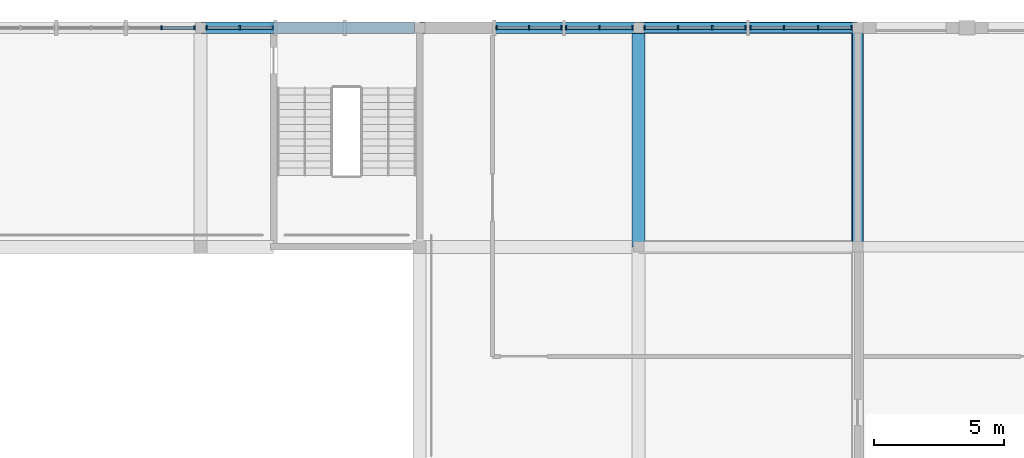
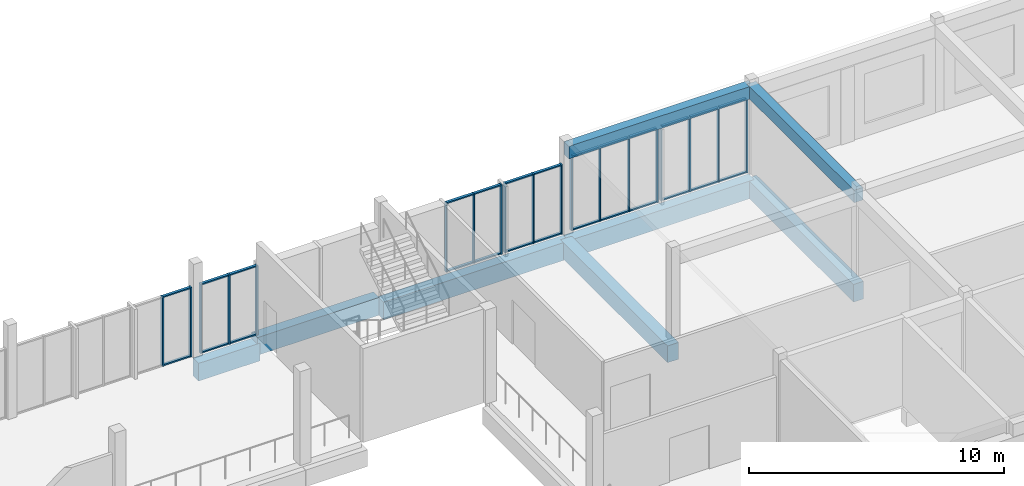
# One storey, part 12 of 38: 45 members, 8 beams, 6 elements without a shape of their own.
"""IFC4 building model written with IfcOpenShell, lengths in metres."""

from ifc_helpers import new_model, si_unit, direction, frame, origin, origin_2d, place, context, subcontext, project, spatial, rectangle, extrude, material, material_profile, profile_set, type_object, element, aggregate, save


model = new_model("IFC4")

# Units and contexts
model_context = context("Model", 3, precision=1e-05, world=origin(), true_north=direction((0.0, 1.0)))
body_context = subcontext(model_context, "Body", "Model", "MODEL_VIEW")
ifc_project = project(units=[si_unit("LENGTHUNIT", "METRE"), si_unit("AREAUNIT", "SQUARE_METRE"), si_unit("VOLUMEUNIT", "CUBIC_METRE"), si_unit("PLANEANGLEUNIT", "RADIAN"), si_unit("MASSUNIT", "GRAM", prefix="KILO")], contexts=[model_context])

# Site, building, storey
site_placement = place(None, origin())
site = spatial("IfcSite", under=ifc_project, at=site_placement, CompositionType="ELEMENT")
building_placement = place(site_placement, origin())
building = spatial("IfcBuilding", under=site, at=building_placement, Name="Fescue Hill Polytechnic", CompositionType="ELEMENT")
storey_placement = place(building_placement, frame((0.0, 0.0, 18.0)))
storey = spatial("IfcBuildingStorey", under=building, at=storey_placement, Name="L04", CompositionType="ELEMENT", Elevation=18.0)

# Beams
ifc_material_1 = material(Name="Concrete 35 MPa", Category="concrete")
ifc_material_profile_1 = material_profile(ifc_material_1, rectangle(XDim=0.39990234375, YDim=0.60009765625, at=origin_2d()), Name="RC 400x600")
ifc_profile_set_1 = profile_set([ifc_material_profile_1], Name="Concrete 35 MPa")
beam_type_1 = type_object("IfcBeamType", Name="Beam RC 400x600", PredefinedType="BEAM", material=ifc_profile_set_1)
beam_1_placement = place(storey_placement, frame((50.409912109375, 134.39990234375, 3.89990234375), z_axis=(1.0, 0.0, 0.0), x_axis=(0.0, 1.0, 0.0)))
element("IfcBeam", 1, at=beam_1_placement, inside=storey, type_object=beam_type_1, Name="BR-L04-0002", PredefinedType="BEAM", context=body_context, shape_type="SweptSolid", body=[
    extrude(rectangle(XDim=0.39990234375, YDim=0.60009765625, at=origin_2d()), origin(), (0.0, 0.0, 1.0), 8.380126953125),
])
beam_2_placement = place(storey_placement, frame((58.800048828125, 126.0, 3.89990234375), z_axis=(0.0, 1.0, 0.0), x_axis=(-1.0, 0.0, 0.0)))
element("IfcBeam", 2, at=beam_2_placement, inside=storey, type_object=beam_type_1, Name="BR-L04-0006", PredefinedType="BEAM", context=body_context, shape_type="SweptSolid", body=[
    extrude(rectangle(XDim=0.39990234375, YDim=0.60009765625, at=origin_2d()), origin(), (0.0, 0.0, 1.0), 8.39990234375),
])
ifc_material_profile_2 = material_profile(ifc_material_1, rectangle(XDim=0.449951171875, YDim=0.85009765625, at=origin_2d()), Name="RC 450x850")
ifc_profile_set_2 = profile_set([ifc_material_profile_2], Name="Concrete 35 MPa")
beam_type_2 = type_object("IfcBeamType", Name="Beam RC 450x850", PredefinedType="BEAM", material=ifc_profile_set_2)
beam_3_placement = place(storey_placement, frame((33.610107421875, 134.39990234375, -0.72509765625), z_axis=(1.0, 0.0, 0.0), x_axis=(0.0, 1.0, 0.0)))
element("IfcBeam", 3, at=beam_3_placement, inside=storey, type_object=beam_type_2, Name="BM-L04-0066", PredefinedType="BEAM", context=body_context, shape_type="SweptSolid", body=[
    extrude(rectangle(XDim=0.449951171875, YDim=0.85009765625, at=origin_2d()), origin(), (0.0, 0.0, 1.0), 2.789794921875),
])
beam_4_placement = place(storey_placement, frame((42.0, 134.39990234375, -0.72509765625), z_axis=(1.0, 0.0, 0.0), x_axis=(0.0, 1.0, 0.0)))
element("IfcBeam", 4, at=beam_4_placement, inside=storey, type_object=beam_type_2, Name="BM-L04-0069", PredefinedType="BEAM", context=body_context, shape_type="SweptSolid", body=[
    extrude(rectangle(XDim=0.449951171875, YDim=0.85009765625, at=origin_2d()), origin(), (0.0, 0.0, 1.0), 8.389892578125),
])
beam_5_placement = place(storey_placement, frame((50.409912109375, 134.39990234375, -0.72509765625), z_axis=(1.0, 0.0, 0.0), x_axis=(0.0, 1.0, 0.0)))
element("IfcBeam", 5, at=beam_5_placement, inside=storey, type_object=beam_type_2, Name="BM-L04-0076", PredefinedType="BEAM", context=body_context, shape_type="SweptSolid", body=[
    extrude(rectangle(XDim=0.449951171875, YDim=0.85009765625, at=origin_2d()), origin(), (0.0, 0.0, 1.0), 8.380126953125),
])
beam_6_placement = place(storey_placement, frame((58.800048828125, 126.0, -0.72509765625), z_axis=(0.0, 1.0, 0.0), x_axis=(-1.0, 0.0, 0.0)))
element("IfcBeam", 6, at=beam_6_placement, inside=storey, type_object=beam_type_2, Name="BM-L04-0080", PredefinedType="BEAM", context=body_context, shape_type="SweptSolid", body=[
    extrude(rectangle(XDim=0.449951171875, YDim=0.85009765625, at=origin_2d()), origin(), (0.0, 0.0, 1.0), 8.39990234375),
])
beam_7_placement = place(storey_placement, frame((36.27490234375, 134.39990234375, -0.425048828125), z_axis=(1.0, 0.0, 0.0), x_axis=(0.0, 1.0, 0.0)))
element("IfcBeam", 7, at=beam_7_placement, inside=storey, type_object=beam_type_2, Name="BM-L04-0127", PredefinedType="BEAM", context=body_context, shape_type="SweptSolid", body=[
    extrude(rectangle(XDim=0.449951171875, YDim=0.85009765625, at=origin_2d()), origin(), (0.0, 0.0, 1.0), 5.525146484375),
])
ifc_material_profile_3 = material_profile(ifc_material_1, rectangle(XDim=0.5, YDim=0.800048828125, at=origin_2d()), Name="RC 500x800")
ifc_profile_set_3 = profile_set([ifc_material_profile_3], Name="Concrete 35 MPa")
beam_type_3 = type_object("IfcBeamType", Name="Beam RC 500x800", PredefinedType="BEAM", material=ifc_profile_set_3)
beam_8_placement = place(storey_placement, frame((50.39990234375, 126.0, -0.699951171875), z_axis=(0.0, 1.0, 0.0), x_axis=(-1.0, 0.0, 0.0)))
element("IfcBeam", 8, at=beam_8_placement, inside=storey, type_object=beam_type_3, Name="BM-L04-0074", PredefinedType="BEAM", context=body_context, shape_type="SweptSolid", body=[
    extrude(rectangle(XDim=0.5, YDim=0.800048828125, at=origin_2d()), origin(), (0.0, 0.0, 1.0), 8.39990234375),
])

# Curtain wall, members
ifc_material_2 = material(Name="Glass", Category="glass")
curtain_wall_type = type_object("IfcCurtainWallType", Name="Curtain wall structural glazing", PredefinedType="NOTDEFINED", material=ifc_material_2)
curtain_wall_1_placement = place(storey_placement, origin())
curtain_wall_1 = element("IfcCurtainWall", 9, at=curtain_wall_1_placement, inside=storey, type_object=curtain_wall_type, Name="CW-L04-V5-1", PredefinedType="NOTDEFINED")
ifc_material_3 = material(Name="Powder-coated aluminium", Category="aluminium")
ifc_material_profile_4 = material_profile(ifc_material_3, rectangle(XDim=0.159912109375, YDim=0.06005859375, at=origin_2d()), Name="Mullion aluminium 60x160")
ifc_profile_set_4 = profile_set([ifc_material_profile_4], Name="Powder-coated aluminium")
member_type_1 = type_object("IfcMemberType", Name="Mullion aluminium 60x160", PredefinedType="MULLION", material=ifc_profile_set_4)
member_1_placement = place(storey_placement, frame((58.570068359375, 134.39990234375, 0.0), z_axis=(0.0, 0.0, 1.0), x_axis=(0.0, -1.0, 0.0)))
member_1 = element("IfcMember", 10, at=member_1_placement, type_object=member_type_1, Name="CW82 mullion 1", PredefinedType="MULLION", context=body_context, shape_type="SweptSolid", body=[
    extrude(rectangle(XDim=0.159912109375, YDim=0.06005859375, at=origin_2d()), origin(), (0.0, 0.0, 1.0), 3.580078125),
])
member_2_placement = place(storey_placement, frame((57.28662109375, 134.39990234375, 0.0), z_axis=(0.0, 0.0, 1.0), x_axis=(0.0, -1.0, 0.0)))
member_2 = element("IfcMember", 11, at=member_2_placement, type_object=member_type_1, Name="CW82 mullion 2", PredefinedType="MULLION", context=body_context, shape_type="SweptSolid", body=[
    extrude(rectangle(XDim=0.159912109375, YDim=0.06005859375, at=origin_2d()), origin(), (0.0, 0.0, 1.0), 3.580078125),
])
member_3_placement = place(storey_placement, frame((55.973388671875, 134.39990234375, 0.0), z_axis=(0.0, 0.0, 1.0), x_axis=(0.0, -1.0, 0.0)))
member_3 = element("IfcMember", 12, at=member_3_placement, type_object=member_type_1, Name="CW82 mullion 3", PredefinedType="MULLION", context=body_context, shape_type="SweptSolid", body=[
    extrude(rectangle(XDim=0.159912109375, YDim=0.06005859375, at=origin_2d()), origin(), (0.0, 0.0, 1.0), 3.580078125),
])
member_4_placement = place(storey_placement, frame((54.68994140625, 134.39990234375, 0.0), z_axis=(0.0, 0.0, 1.0), x_axis=(0.0, -1.0, 0.0)))
member_4 = element("IfcMember", 13, at=member_4_placement, type_object=member_type_1, Name="CW82 mullion 4", PredefinedType="MULLION", context=body_context, shape_type="SweptSolid", body=[
    extrude(rectangle(XDim=0.159912109375, YDim=0.06005859375, at=origin_2d()), origin(), (0.0, 0.0, 1.0), 3.580078125),
])

curtain_wall_2_placement = place(storey_placement, origin())
curtain_wall_2 = element("IfcCurtainWall", 14, at=curtain_wall_2_placement, inside=storey, type_object=curtain_wall_type, Name="CW-L04-V5-2", PredefinedType="NOTDEFINED")
member_5_placement = place(storey_placement, frame((54.510009765625, 134.39990234375, 0.0), z_axis=(0.0, 0.0, 1.0), x_axis=(0.0, -1.0, 0.0)))
member_5 = element("IfcMember", 15, at=member_5_placement, type_object=member_type_1, Name="CW83 mullion 1", PredefinedType="MULLION", context=body_context, shape_type="SweptSolid", body=[
    extrude(rectangle(XDim=0.159912109375, YDim=0.06005859375, at=origin_2d()), origin(), (0.0, 0.0, 1.0), 3.580078125),
])
member_6_placement = place(storey_placement, frame((53.2265625, 134.39990234375, 0.0), z_axis=(0.0, 0.0, 1.0), x_axis=(0.0, -1.0, 0.0)))
member_6 = element("IfcMember", 16, at=member_6_placement, type_object=member_type_1, Name="CW83 mullion 2", PredefinedType="MULLION", context=body_context, shape_type="SweptSolid", body=[
    extrude(rectangle(XDim=0.159912109375, YDim=0.06005859375, at=origin_2d()), origin(), (0.0, 0.0, 1.0), 3.580078125),
])
member_7_placement = place(storey_placement, frame((51.913330078125, 134.39990234375, 0.0), z_axis=(0.0, 0.0, 1.0), x_axis=(0.0, -1.0, 0.0)))
member_7 = element("IfcMember", 17, at=member_7_placement, type_object=member_type_1, Name="CW83 mullion 3", PredefinedType="MULLION", context=body_context, shape_type="SweptSolid", body=[
    extrude(rectangle(XDim=0.159912109375, YDim=0.06005859375, at=origin_2d()), origin(), (0.0, 0.0, 1.0), 3.580078125),
])
member_8_placement = place(storey_placement, frame((50.6298828125, 134.39990234375, 0.0), z_axis=(0.0, 0.0, 1.0), x_axis=(0.0, -1.0, 0.0)))
member_8 = element("IfcMember", 18, at=member_8_placement, type_object=member_type_1, Name="CW83 mullion 4", PredefinedType="MULLION", context=body_context, shape_type="SweptSolid", body=[
    extrude(rectangle(XDim=0.159912109375, YDim=0.06005859375, at=origin_2d()), origin(), (0.0, 0.0, 1.0), 3.580078125),
])

curtain_wall_3_placement = place(storey_placement, origin())
curtain_wall_3 = element("IfcCurtainWall", 19, at=curtain_wall_3_placement, inside=storey, type_object=curtain_wall_type, Name="CW-L04-V5-3", PredefinedType="NOTDEFINED")
member_9_placement = place(storey_placement, frame((50.169921875, 134.39990234375, 0.0), z_axis=(0.0, 0.0, 1.0), x_axis=(0.0, -1.0, 0.0)))
member_9 = element("IfcMember", 20, at=member_9_placement, type_object=member_type_1, Name="CW84 mullion 1", PredefinedType="MULLION", context=body_context, shape_type="SweptSolid", body=[
    extrude(rectangle(XDim=0.159912109375, YDim=0.06005859375, at=origin_2d()), origin(), (0.0, 0.0, 1.0), 3.330078125),
])
member_10_placement = place(storey_placement, frame((48.896728515625, 134.39990234375, 0.0), z_axis=(0.0, 0.0, 1.0), x_axis=(0.0, -1.0, 0.0)))
member_10 = element("IfcMember", 21, at=member_10_placement, type_object=member_type_1, Name="CW84 mullion 2", PredefinedType="MULLION", context=body_context, shape_type="SweptSolid", body=[
    extrude(rectangle(XDim=0.159912109375, YDim=0.06005859375, at=origin_2d()), origin(), (0.0, 0.0, 1.0), 3.330078125),
])
member_11_placement = place(storey_placement, frame((47.623291015625, 134.39990234375, 0.0), z_axis=(0.0, 0.0, 1.0), x_axis=(0.0, -1.0, 0.0)))
member_11 = element("IfcMember", 22, at=member_11_placement, type_object=member_type_1, Name="CW84 mullion 3", PredefinedType="MULLION", context=body_context, shape_type="SweptSolid", body=[
    extrude(rectangle(XDim=0.159912109375, YDim=0.06005859375, at=origin_2d()), origin(), (0.0, 0.0, 1.0), 3.330078125),
])

curtain_wall_4_placement = place(storey_placement, origin())
curtain_wall_4 = element("IfcCurtainWall", 23, at=curtain_wall_4_placement, inside=storey, type_object=curtain_wall_type, Name="CW-L04-V5-4", PredefinedType="NOTDEFINED")
member_12_placement = place(storey_placement, frame((47.443359375, 134.39990234375, 0.0), z_axis=(0.0, 0.0, 1.0), x_axis=(0.0, -1.0, 0.0)))
member_12 = element("IfcMember", 24, at=member_12_placement, type_object=member_type_1, Name="CW85 mullion 1", PredefinedType="MULLION", context=body_context, shape_type="SweptSolid", body=[
    extrude(rectangle(XDim=0.159912109375, YDim=0.06005859375, at=origin_2d()), origin(), (0.0, 0.0, 1.0), 3.330078125),
])
member_13_placement = place(storey_placement, frame((46.199951171875, 134.39990234375, 0.0), z_axis=(0.0, 0.0, 1.0), x_axis=(0.0, -1.0, 0.0)))
member_13 = element("IfcMember", 25, at=member_13_placement, type_object=member_type_1, Name="CW85 mullion 2", PredefinedType="MULLION", context=body_context, shape_type="SweptSolid", body=[
    extrude(rectangle(XDim=0.159912109375, YDim=0.06005859375, at=origin_2d()), origin(), (0.0, 0.0, 1.0), 3.330078125),
])
member_14_placement = place(storey_placement, frame((44.956787109375, 134.39990234375, 0.0), z_axis=(0.0, 0.0, 1.0), x_axis=(0.0, -1.0, 0.0)))
member_14 = element("IfcMember", 26, at=member_14_placement, type_object=member_type_1, Name="CW85 mullion 3", PredefinedType="MULLION", context=body_context, shape_type="SweptSolid", body=[
    extrude(rectangle(XDim=0.159912109375, YDim=0.06005859375, at=origin_2d()), origin(), (0.0, 0.0, 1.0), 3.330078125),
])

curtain_wall_5_placement = place(storey_placement, origin())
curtain_wall_5 = element("IfcCurtainWall", 27, at=curtain_wall_5_placement, inside=storey, type_object=curtain_wall_type, Name="CW-L04-V5-5", PredefinedType="NOTDEFINED")
member_15_placement = place(storey_placement, frame((33.3701171875, 134.39990234375, 0.0), z_axis=(0.0, 0.0, 1.0), x_axis=(0.0, -1.0, 0.0)))
member_15 = element("IfcMember", 28, at=member_15_placement, type_object=member_type_1, Name="CW86 mullion 1", PredefinedType="MULLION", context=body_context, shape_type="SweptSolid", body=[
    extrude(rectangle(XDim=0.159912109375, YDim=0.06005859375, at=origin_2d()), origin(), (0.0, 0.0, 1.0), 3.330078125),
])
member_16_placement = place(storey_placement, frame((32.0966796875, 134.39990234375, 0.0), z_axis=(0.0, 0.0, 1.0), x_axis=(0.0, -1.0, 0.0)))
member_16 = element("IfcMember", 29, at=member_16_placement, type_object=member_type_1, Name="CW86 mullion 2", PredefinedType="MULLION", context=body_context, shape_type="SweptSolid", body=[
    extrude(rectangle(XDim=0.159912109375, YDim=0.06005859375, at=origin_2d()), origin(), (0.0, 0.0, 1.0), 3.330078125),
])

curtain_wall_6_placement = place(storey_placement, origin())
curtain_wall_6 = element("IfcCurtainWall", 30, at=curtain_wall_6_placement, inside=storey, type_object=curtain_wall_type, Name="CW-L04-V5-X2", PredefinedType="NOTDEFINED")
member_17_placement = place(storey_placement, frame((36.376708984375, 134.39990234375, 0.0), z_axis=(0.0, 0.0, 1.0), x_axis=(0.0, -1.0, 0.0)))
member_17 = element("IfcMember", 31, at=member_17_placement, type_object=member_type_1, Name="CW153 mullion 1", PredefinedType="MULLION", context=body_context, shape_type="SweptSolid", body=[
    extrude(rectangle(XDim=0.159912109375, YDim=0.06005859375, at=origin_2d()), origin(), (0.0, 0.0, 1.0), 3.330078125),
])
member_18_placement = place(storey_placement, frame((35.103271484375, 134.39990234375, 0.0), z_axis=(0.0, 0.0, 1.0), x_axis=(0.0, -1.0, 0.0)))
member_18 = element("IfcMember", 32, at=member_18_placement, type_object=member_type_1, Name="CW153 mullion 2", PredefinedType="MULLION", context=body_context, shape_type="SweptSolid", body=[
    extrude(rectangle(XDim=0.159912109375, YDim=0.06005859375, at=origin_2d()), origin(), (0.0, 0.0, 1.0), 3.330078125),
])
member_19_placement = place(storey_placement, frame((33.830078125, 134.39990234375, 0.0), z_axis=(0.0, 0.0, 1.0), x_axis=(0.0, -1.0, 0.0)))
member_19 = element("IfcMember", 33, at=member_19_placement, type_object=member_type_1, Name="CW153 mullion 3", PredefinedType="MULLION", context=body_context, shape_type="SweptSolid", body=[
    extrude(rectangle(XDim=0.159912109375, YDim=0.06005859375, at=origin_2d()), origin(), (0.0, 0.0, 1.0), 3.330078125),
])

# Member
ifc_material_profile_5 = material_profile(ifc_material_3, rectangle(XDim=0.1201171875, YDim=0.06005859375, at=origin_2d()), Name="Transom aluminium 60x120")
ifc_profile_set_5 = profile_set([ifc_material_profile_5], Name="Powder-coated aluminium")
member_type_2 = type_object("IfcMemberType", Name="Transom aluminium 60x120", PredefinedType="USERDEFINED", material=ifc_profile_set_5)
member_20_placement = place(storey_placement, frame((58.5400390625, 134.39990234375, 0.030029296875), z_axis=(-1.0, 0.0, 0.0), x_axis=(0.0, -1.0, 0.0)))
member_20 = element("IfcMember", 34, at=member_20_placement, type_object=member_type_2, Name="CW82 transom 1.1", ObjectType="TRANSOM", PredefinedType="USERDEFINED", context=body_context, shape_type="SweptSolid", body=[
    extrude(rectangle(XDim=0.1201171875, YDim=0.06005859375, at=origin_2d()), origin(), (0.0, 0.0, 1.0), 1.223388671875),
])

member_21_placement = place(storey_placement, frame((58.5400390625, 134.39990234375, 3.550048828125), z_axis=(-1.0, 0.0, 0.0), x_axis=(0.0, -1.0, 0.0)))
member_21 = element("IfcMember", 35, at=member_21_placement, type_object=member_type_2, Name="CW82 transom 1.2", ObjectType="TRANSOM", PredefinedType="USERDEFINED", context=body_context, shape_type="SweptSolid", body=[
    extrude(rectangle(XDim=0.1201171875, YDim=0.06005859375, at=origin_2d()), origin(), (0.0, 0.0, 1.0), 1.223388671875),
])

member_22_placement = place(storey_placement, frame((57.256591796875, 134.39990234375, 0.030029296875), z_axis=(-1.0, 0.0, 0.0), x_axis=(0.0, -1.0, 0.0)))
member_22 = element("IfcMember", 36, at=member_22_placement, type_object=member_type_2, Name="CW82 transom 2.1", ObjectType="TRANSOM", PredefinedType="USERDEFINED", context=body_context, shape_type="SweptSolid", body=[
    extrude(rectangle(XDim=0.1201171875, YDim=0.06005859375, at=origin_2d()), origin(), (0.0, 0.0, 1.0), 1.253173828125),
])

member_23_placement = place(storey_placement, frame((57.256591796875, 134.39990234375, 3.550048828125), z_axis=(-1.0, 0.0, 0.0), x_axis=(0.0, -1.0, 0.0)))
member_23 = element("IfcMember", 37, at=member_23_placement, type_object=member_type_2, Name="CW82 transom 2.2", ObjectType="TRANSOM", PredefinedType="USERDEFINED", context=body_context, shape_type="SweptSolid", body=[
    extrude(rectangle(XDim=0.1201171875, YDim=0.06005859375, at=origin_2d()), origin(), (0.0, 0.0, 1.0), 1.253173828125),
])

member_24_placement = place(storey_placement, frame((55.943359375, 134.39990234375, 0.030029296875), z_axis=(-1.0, 0.0, 0.0), x_axis=(0.0, -1.0, 0.0)))
member_24 = element("IfcMember", 38, at=member_24_placement, type_object=member_type_2, Name="CW82 transom 3.1", ObjectType="TRANSOM", PredefinedType="USERDEFINED", context=body_context, shape_type="SweptSolid", body=[
    extrude(rectangle(XDim=0.1201171875, YDim=0.06005859375, at=origin_2d()), origin(), (0.0, 0.0, 1.0), 1.223388671875),
])

member_25_placement = place(storey_placement, frame((55.943359375, 134.39990234375, 3.550048828125), z_axis=(-1.0, 0.0, 0.0), x_axis=(0.0, -1.0, 0.0)))
member_25 = element("IfcMember", 39, at=member_25_placement, type_object=member_type_2, Name="CW82 transom 3.2", ObjectType="TRANSOM", PredefinedType="USERDEFINED", context=body_context, shape_type="SweptSolid", body=[
    extrude(rectangle(XDim=0.1201171875, YDim=0.06005859375, at=origin_2d()), origin(), (0.0, 0.0, 1.0), 1.223388671875),
])

aggregate(curtain_wall_1, [member_1, member_2, member_3, member_4, member_20, member_21, member_22, member_23, member_24, member_25])

member_26_placement = place(storey_placement, frame((54.47998046875, 134.39990234375, 0.030029296875), z_axis=(-1.0, 0.0, 0.0), x_axis=(0.0, -1.0, 0.0)))
member_26 = element("IfcMember", 40, at=member_26_placement, type_object=member_type_2, Name="CW83 transom 1.1", ObjectType="TRANSOM", PredefinedType="USERDEFINED", context=body_context, shape_type="SweptSolid", body=[
    extrude(rectangle(XDim=0.1201171875, YDim=0.06005859375, at=origin_2d()), origin(), (0.0, 0.0, 1.0), 1.223388671875),
])

member_27_placement = place(storey_placement, frame((54.47998046875, 134.39990234375, 3.550048828125), z_axis=(-1.0, 0.0, 0.0), x_axis=(0.0, -1.0, 0.0)))
member_27 = element("IfcMember", 41, at=member_27_placement, type_object=member_type_2, Name="CW83 transom 1.2", ObjectType="TRANSOM", PredefinedType="USERDEFINED", context=body_context, shape_type="SweptSolid", body=[
    extrude(rectangle(XDim=0.1201171875, YDim=0.06005859375, at=origin_2d()), origin(), (0.0, 0.0, 1.0), 1.223388671875),
])

member_28_placement = place(storey_placement, frame((53.19677734375, 134.39990234375, 0.030029296875), z_axis=(-1.0, 0.0, 0.0), x_axis=(0.0, -1.0, 0.0)))
member_28 = element("IfcMember", 42, at=member_28_placement, type_object=member_type_2, Name="CW83 transom 2.1", ObjectType="TRANSOM", PredefinedType="USERDEFINED", context=body_context, shape_type="SweptSolid", body=[
    extrude(rectangle(XDim=0.1201171875, YDim=0.06005859375, at=origin_2d()), origin(), (0.0, 0.0, 1.0), 1.25341796875),
])

member_29_placement = place(storey_placement, frame((53.19677734375, 134.39990234375, 3.550048828125), z_axis=(-1.0, 0.0, 0.0), x_axis=(0.0, -1.0, 0.0)))
member_29 = element("IfcMember", 43, at=member_29_placement, type_object=member_type_2, Name="CW83 transom 2.2", ObjectType="TRANSOM", PredefinedType="USERDEFINED", context=body_context, shape_type="SweptSolid", body=[
    extrude(rectangle(XDim=0.1201171875, YDim=0.06005859375, at=origin_2d()), origin(), (0.0, 0.0, 1.0), 1.25341796875),
])

member_30_placement = place(storey_placement, frame((51.88330078125, 134.39990234375, 0.030029296875), z_axis=(-1.0, 0.0, 0.0), x_axis=(0.0, -1.0, 0.0)))
member_30 = element("IfcMember", 44, at=member_30_placement, type_object=member_type_2, Name="CW83 transom 3.1", ObjectType="TRANSOM", PredefinedType="USERDEFINED", context=body_context, shape_type="SweptSolid", body=[
    extrude(rectangle(XDim=0.1201171875, YDim=0.06005859375, at=origin_2d()), origin(), (0.0, 0.0, 1.0), 1.223388671875),
])

member_31_placement = place(storey_placement, frame((51.88330078125, 134.39990234375, 3.550048828125), z_axis=(-1.0, 0.0, 0.0), x_axis=(0.0, -1.0, 0.0)))
member_31 = element("IfcMember", 45, at=member_31_placement, type_object=member_type_2, Name="CW83 transom 3.2", ObjectType="TRANSOM", PredefinedType="USERDEFINED", context=body_context, shape_type="SweptSolid", body=[
    extrude(rectangle(XDim=0.1201171875, YDim=0.06005859375, at=origin_2d()), origin(), (0.0, 0.0, 1.0), 1.223388671875),
])

aggregate(curtain_wall_2, [member_5, member_6, member_7, member_8, member_26, member_27, member_28, member_29, member_30, member_31])

member_32_placement = place(storey_placement, frame((50.139892578125, 134.39990234375, 0.030029296875), z_axis=(-1.0, 0.0, 0.0), x_axis=(0.0, -1.0, 0.0)))
member_32 = element("IfcMember", 46, at=member_32_placement, type_object=member_type_2, Name="CW84 transom 1.1", ObjectType="TRANSOM", PredefinedType="USERDEFINED", context=body_context, shape_type="SweptSolid", body=[
    extrude(rectangle(XDim=0.1201171875, YDim=0.06005859375, at=origin_2d()), origin(), (0.0, 0.0, 1.0), 1.213134765625),
])

member_33_placement = place(storey_placement, frame((50.139892578125, 134.39990234375, 3.300048828125), z_axis=(-1.0, 0.0, 0.0), x_axis=(0.0, -1.0, 0.0)))
member_33 = element("IfcMember", 47, at=member_33_placement, type_object=member_type_2, Name="CW84 transom 1.2", ObjectType="TRANSOM", PredefinedType="USERDEFINED", context=body_context, shape_type="SweptSolid", body=[
    extrude(rectangle(XDim=0.1201171875, YDim=0.06005859375, at=origin_2d()), origin(), (0.0, 0.0, 1.0), 1.213134765625),
])

member_34_placement = place(storey_placement, frame((48.86669921875, 134.39990234375, 0.030029296875), z_axis=(-1.0, 0.0, 0.0), x_axis=(0.0, -1.0, 0.0)))
member_34 = element("IfcMember", 48, at=member_34_placement, type_object=member_type_2, Name="CW84 transom 2.1", ObjectType="TRANSOM", PredefinedType="USERDEFINED", context=body_context, shape_type="SweptSolid", body=[
    extrude(rectangle(XDim=0.1201171875, YDim=0.06005859375, at=origin_2d()), origin(), (0.0, 0.0, 1.0), 1.21337890625),
])

member_35_placement = place(storey_placement, frame((48.86669921875, 134.39990234375, 3.300048828125), z_axis=(-1.0, 0.0, 0.0), x_axis=(0.0, -1.0, 0.0)))
member_35 = element("IfcMember", 49, at=member_35_placement, type_object=member_type_2, Name="CW84 transom 2.2", ObjectType="TRANSOM", PredefinedType="USERDEFINED", context=body_context, shape_type="SweptSolid", body=[
    extrude(rectangle(XDim=0.1201171875, YDim=0.06005859375, at=origin_2d()), origin(), (0.0, 0.0, 1.0), 1.21337890625),
])

aggregate(curtain_wall_3, [member_9, member_10, member_11, member_32, member_33, member_34, member_35])

member_36_placement = place(storey_placement, frame((47.413330078125, 134.39990234375, 0.030029296875), z_axis=(-1.0, 0.0, 0.0), x_axis=(0.0, -1.0, 0.0)))
member_36 = element("IfcMember", 50, at=member_36_placement, type_object=member_type_2, Name="CW85 transom 1.1", ObjectType="TRANSOM", PredefinedType="USERDEFINED", context=body_context, shape_type="SweptSolid", body=[
    extrude(rectangle(XDim=0.1201171875, YDim=0.06005859375, at=origin_2d()), origin(), (0.0, 0.0, 1.0), 1.183349609375),
])

member_37_placement = place(storey_placement, frame((47.413330078125, 134.39990234375, 3.300048828125), z_axis=(-1.0, 0.0, 0.0), x_axis=(0.0, -1.0, 0.0)))
member_37 = element("IfcMember", 51, at=member_37_placement, type_object=member_type_2, Name="CW85 transom 1.2", ObjectType="TRANSOM", PredefinedType="USERDEFINED", context=body_context, shape_type="SweptSolid", body=[
    extrude(rectangle(XDim=0.1201171875, YDim=0.06005859375, at=origin_2d()), origin(), (0.0, 0.0, 1.0), 1.183349609375),
])

member_38_placement = place(storey_placement, frame((46.169921875, 134.39990234375, 0.030029296875), z_axis=(-1.0, 0.0, 0.0), x_axis=(0.0, -1.0, 0.0)))
member_38 = element("IfcMember", 52, at=member_38_placement, type_object=member_type_2, Name="CW85 transom 2.1", ObjectType="TRANSOM", PredefinedType="USERDEFINED", context=body_context, shape_type="SweptSolid", body=[
    extrude(rectangle(XDim=0.1201171875, YDim=0.06005859375, at=origin_2d()), origin(), (0.0, 0.0, 1.0), 1.18310546875),
])

member_39_placement = place(storey_placement, frame((46.169921875, 134.39990234375, 3.300048828125), z_axis=(-1.0, 0.0, 0.0), x_axis=(0.0, -1.0, 0.0)))
member_39 = element("IfcMember", 53, at=member_39_placement, type_object=member_type_2, Name="CW85 transom 2.2", ObjectType="TRANSOM", PredefinedType="USERDEFINED", context=body_context, shape_type="SweptSolid", body=[
    extrude(rectangle(XDim=0.1201171875, YDim=0.06005859375, at=origin_2d()), origin(), (0.0, 0.0, 1.0), 1.18310546875),
])

aggregate(curtain_wall_4, [member_12, member_13, member_14, member_36, member_37, member_38, member_39])

member_40_placement = place(storey_placement, frame((33.340087890625, 134.39990234375, 0.030029296875), z_axis=(-1.0, 0.0, 0.0), x_axis=(0.0, -1.0, 0.0)))
member_40 = element("IfcMember", 54, at=member_40_placement, type_object=member_type_2, Name="CW86 transom 1.1", ObjectType="TRANSOM", PredefinedType="USERDEFINED", context=body_context, shape_type="SweptSolid", body=[
    extrude(rectangle(XDim=0.1201171875, YDim=0.06005859375, at=origin_2d()), origin(), (0.0, 0.0, 1.0), 1.21337890625),
])

member_41_placement = place(storey_placement, frame((33.340087890625, 134.39990234375, 3.300048828125), z_axis=(-1.0, 0.0, 0.0), x_axis=(0.0, -1.0, 0.0)))
member_41 = element("IfcMember", 55, at=member_41_placement, type_object=member_type_2, Name="CW86 transom 1.2", ObjectType="TRANSOM", PredefinedType="USERDEFINED", context=body_context, shape_type="SweptSolid", body=[
    extrude(rectangle(XDim=0.1201171875, YDim=0.06005859375, at=origin_2d()), origin(), (0.0, 0.0, 1.0), 1.21337890625),
])

aggregate(curtain_wall_5, [member_15, member_16, member_40, member_41])

member_42_placement = place(storey_placement, frame((36.3466796875, 134.39990234375, 0.030029296875), z_axis=(-1.0, 0.0, 0.0), x_axis=(0.0, -1.0, 0.0)))
member_42 = element("IfcMember", 56, at=member_42_placement, type_object=member_type_2, Name="CW153 transom 1.1", ObjectType="TRANSOM", PredefinedType="USERDEFINED", context=body_context, shape_type="SweptSolid", body=[
    extrude(rectangle(XDim=0.1201171875, YDim=0.06005859375, at=origin_2d()), origin(), (0.0, 0.0, 1.0), 1.21337890625),
])

member_43_placement = place(storey_placement, frame((36.3466796875, 134.39990234375, 3.300048828125), z_axis=(-1.0, 0.0, 0.0), x_axis=(0.0, -1.0, 0.0)))
member_43 = element("IfcMember", 57, at=member_43_placement, type_object=member_type_2, Name="CW153 transom 1.2", ObjectType="TRANSOM", PredefinedType="USERDEFINED", context=body_context, shape_type="SweptSolid", body=[
    extrude(rectangle(XDim=0.1201171875, YDim=0.06005859375, at=origin_2d()), origin(), (0.0, 0.0, 1.0), 1.21337890625),
])

member_44_placement = place(storey_placement, frame((35.0732421875, 134.39990234375, 0.030029296875), z_axis=(-1.0, 0.0, 0.0), x_axis=(0.0, -1.0, 0.0)))
member_44 = element("IfcMember", 58, at=member_44_placement, type_object=member_type_2, Name="CW153 transom 2.1", ObjectType="TRANSOM", PredefinedType="USERDEFINED", context=body_context, shape_type="SweptSolid", body=[
    extrude(rectangle(XDim=0.1201171875, YDim=0.06005859375, at=origin_2d()), origin(), (0.0, 0.0, 1.0), 1.213134765625),
])

member_45_placement = place(storey_placement, frame((35.0732421875, 134.39990234375, 3.300048828125), z_axis=(-1.0, 0.0, 0.0), x_axis=(0.0, -1.0, 0.0)))
member_45 = element("IfcMember", 59, at=member_45_placement, type_object=member_type_2, Name="CW153 transom 2.2", ObjectType="TRANSOM", PredefinedType="USERDEFINED", context=body_context, shape_type="SweptSolid", body=[
    extrude(rectangle(XDim=0.1201171875, YDim=0.06005859375, at=origin_2d()), origin(), (0.0, 0.0, 1.0), 1.213134765625),
])

aggregate(curtain_wall_6, [member_17, member_18, member_19, member_42, member_43, member_44, member_45])

save(model, "model.ifc")
